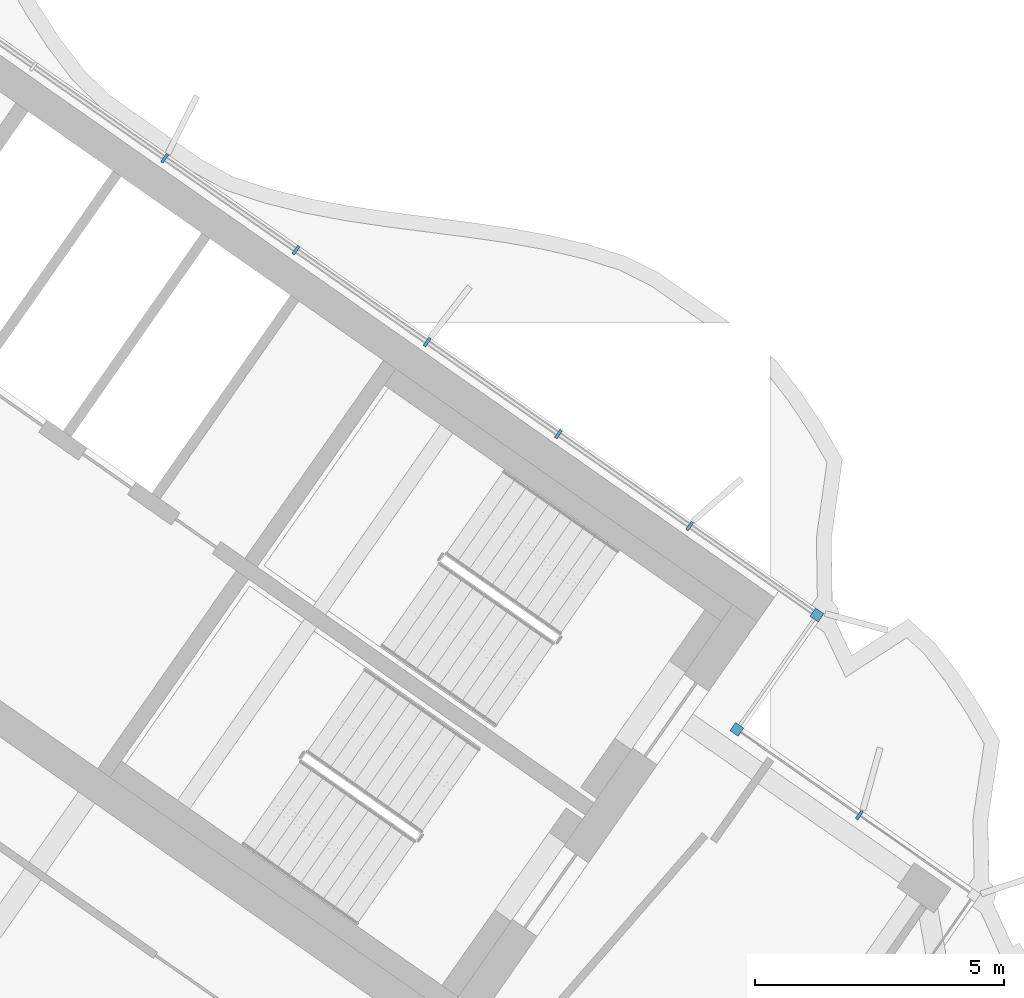
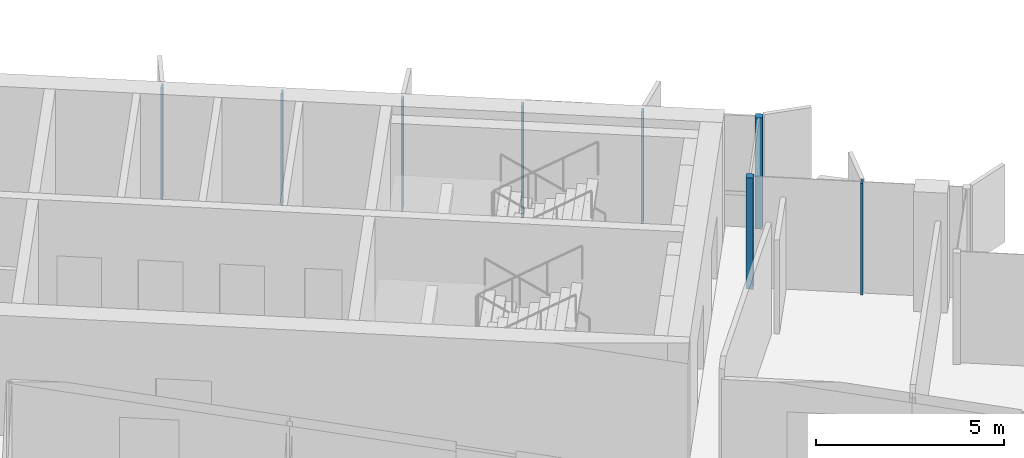
# One storey, part 6 of 20: 8 members, 2 elements without a shape of their own.
"""IFC4 building model written with IfcOpenShell, lengths in metres."""

from ifc_helpers import new_model, si_unit, direction, frame, origin, origin_2d, place, context, subcontext, project, spatial, rectangle, extrude, material, material_profile, profile_set, type_object, element, aggregate, save


model = new_model("IFC4")

# Units and contexts
model_context = context("Model", 3, precision=1e-05, world=origin(), true_north=direction((0.0, 1.0)))
body_context = subcontext(model_context, "Body", "Model", "MODEL_VIEW")
ifc_project = project(units=[si_unit("LENGTHUNIT", "METRE"), si_unit("AREAUNIT", "SQUARE_METRE"), si_unit("VOLUMEUNIT", "CUBIC_METRE"), si_unit("PLANEANGLEUNIT", "RADIAN"), si_unit("MASSUNIT", "GRAM", prefix="KILO")], contexts=[model_context])

# Site, building, storey
site_placement = place(None, origin())
site = spatial("IfcSite", under=ifc_project, at=site_placement, CompositionType="ELEMENT")
building_placement = place(site_placement, origin())
building = spatial("IfcBuilding", under=site, at=building_placement, Name="Tel Ilan Convention Tower", CompositionType="ELEMENT")
storey_placement = place(building_placement, frame((0.0, 0.0, 237.10009765625)))
storey = spatial("IfcBuildingStorey", under=building, at=storey_placement, Name="L55", CompositionType="ELEMENT", Elevation=237.10009765625)

# Curtain wall, members
ifc_material_1 = material(Name="Aluminium, bronze anodised", Category="aluminium")
curtain_wall_type_1 = type_object("IfcCurtainWallType", Name="CW2 STICK CURTAIN WALL, SPANDREL PANELS", PredefinedType="NOTDEFINED", material=ifc_material_1)
curtain_wall_1_placement = place(storey_placement, origin())
curtain_wall_1 = element("IfcCurtainWall", 1, at=curtain_wall_1_placement, inside=storey, type_object=curtain_wall_type_1, Name="Curtain wall CW2-42.01", PredefinedType="NOTDEFINED")
ifc_material_2 = material(Name="Aluminium, bronze anodised", Category="aluminium")
ifc_material_profile_1 = material_profile(ifc_material_2, rectangle(XDim=0.199951171875, YDim=0.199951171875, at=origin_2d()), Name="CW CORNER MULLION 200x200")
ifc_profile_set_1 = profile_set([ifc_material_profile_1], Name="Aluminium, bronze anodised")
member_type_1 = type_object("IfcMemberType", Name="CW CORNER MULLION 200x200", PredefinedType="MULLION", material=ifc_profile_set_1)
member_1_placement = place(storey_placement, frame((27.213623046875, -9.77734375, 0.0), z_axis=(0.0, 0.0, 1.0), x_axis=(-0.819152044289, 0.573576436351, 0.0)))
member_1 = element("IfcMember", 2, at=member_1_placement, type_object=member_type_1, Name="Corner mullion", PredefinedType="MULLION", context=body_context, shape_type="SweptSolid", body=[
    extrude(rectangle(XDim=0.199951171875, YDim=0.199951171875, at=origin_2d()), origin(), (0.0, 0.0, 1.0), 3.619873046875),
])
member_2_placement = place(storey_placement, frame((28.819580078125, -7.483642578125, 0.0), z_axis=(0.0, 0.0, 1.0), x_axis=(0.573576436351, 0.819152044289, 0.0)))
member_2 = element("IfcMember", 3, at=member_2_placement, type_object=member_type_1, Name="Corner mullion", PredefinedType="MULLION", context=body_context, shape_type="SweptSolid", body=[
    extrude(rectangle(XDim=0.199951171875, YDim=0.199951171875, at=origin_2d()), origin(), (0.0, 0.0, 1.0), 3.619873046875),
])
ifc_material_3 = material(Name="Aluminium, bronze anodised", Category="aluminium")
ifc_material_profile_2 = material_profile(ifc_material_3, rectangle(XDim=0.06005859375, YDim=0.199951171875, at=origin_2d()), Name="CW MULLION 60x200")
ifc_profile_set_2 = profile_set([ifc_material_profile_2], Name="Aluminium, bronze anodised")
member_type_2 = type_object("IfcMemberType", Name="CW MULLION 60x200", PredefinedType="MULLION", material=ifc_profile_set_2)
member_3_placement = place(storey_placement, frame((26.268798828125, -5.697509765625, 0.0), z_axis=(0.0, 0.0, 1.0), x_axis=(-0.819152044289, 0.573576436351, 0.0)))
member_3 = element("IfcMember", 4, at=member_3_placement, type_object=member_type_2, Name="Mullion", PredefinedType="MULLION", context=body_context, shape_type="SweptSolid", body=[
    extrude(rectangle(XDim=0.06005859375, YDim=0.199951171875, at=origin_2d()), origin(), (0.0, 0.0, 1.0), 3.619873046875),
])
member_4_placement = place(storey_placement, frame((23.63623046875, -3.854248046875, 0.0), z_axis=(0.0, 0.0, 1.0), x_axis=(-0.819152044289, 0.573576436351, 0.0)))
member_4 = element("IfcMember", 5, at=member_4_placement, type_object=member_type_2, Name="Mullion", PredefinedType="MULLION", context=body_context, shape_type="SweptSolid", body=[
    extrude(rectangle(XDim=0.06005859375, YDim=0.199951171875, at=origin_2d()), origin(), (0.0, 0.0, 1.0), 3.619873046875),
])
member_5_placement = place(storey_placement, frame((21.003662109375, -2.0107421875, 0.0), z_axis=(0.0, 0.0, 1.0), x_axis=(-0.819152044289, 0.573576436351, 0.0)))
member_5 = element("IfcMember", 6, at=member_5_placement, type_object=member_type_2, Name="Mullion", PredefinedType="MULLION", context=body_context, shape_type="SweptSolid", body=[
    extrude(rectangle(XDim=0.06005859375, YDim=0.199951171875, at=origin_2d()), origin(), (0.0, 0.0, 1.0), 3.619873046875),
])
member_6_placement = place(storey_placement, frame((18.37109375, -0.16748046875, 0.0), z_axis=(0.0, 0.0, 1.0), x_axis=(-0.819152044289, 0.573576436351, 0.0)))
member_6 = element("IfcMember", 7, at=member_6_placement, type_object=member_type_2, Name="Mullion", PredefinedType="MULLION", context=body_context, shape_type="SweptSolid", body=[
    extrude(rectangle(XDim=0.06005859375, YDim=0.199951171875, at=origin_2d()), origin(), (0.0, 0.0, 1.0), 3.619873046875),
])
member_7_placement = place(storey_placement, frame((15.73828125, 1.676025390625, 0.0), z_axis=(0.0, 0.0, 1.0), x_axis=(-0.819152044289, 0.573576436351, 0.0)))
member_7 = element("IfcMember", 8, at=member_7_placement, type_object=member_type_2, Name="Mullion", PredefinedType="MULLION", context=body_context, shape_type="SweptSolid", body=[
    extrude(rectangle(XDim=0.06005859375, YDim=0.199951171875, at=origin_2d()), origin(), (0.0, 0.0, 1.0), 3.619873046875),
])
aggregate(curtain_wall_1, [member_1, member_2, member_3, member_4, member_5, member_6, member_7])

# Curtain wall, member
ifc_material_4 = material(Name="Aluminium, bronze anodised", Category="aluminium")
curtain_wall_type_2 = type_object("IfcCurtainWallType", Name="CW5 STICK CURTAIN WALL, UPPER OFFICE LOW-IRON TINTED GLASS", PredefinedType="NOTDEFINED", material=ifc_material_4)
curtain_wall_2_placement = place(storey_placement, origin())
curtain_wall_2 = element("IfcCurtainWall", 9, at=curtain_wall_2_placement, inside=storey, type_object=curtain_wall_type_2, Name="Curtain wall CW5-42.02", PredefinedType="NOTDEFINED")
member_8_placement = place(storey_placement, frame((29.6708984375, -11.498046875, 0.0), z_axis=(0.0, 0.0, 1.0), x_axis=(-0.819152044289, 0.573576436351, 0.0)))
member_8 = element("IfcMember", 10, at=member_8_placement, type_object=member_type_2, Name="Mullion", PredefinedType="MULLION", context=body_context, shape_type="SweptSolid", body=[
    extrude(rectangle(XDim=0.06005859375, YDim=0.199951171875, at=origin_2d()), origin(), (0.0, 0.0, 1.0), 3.619873046875),
])
aggregate(curtain_wall_2, [member_8])

save(model, "model.ifc")
